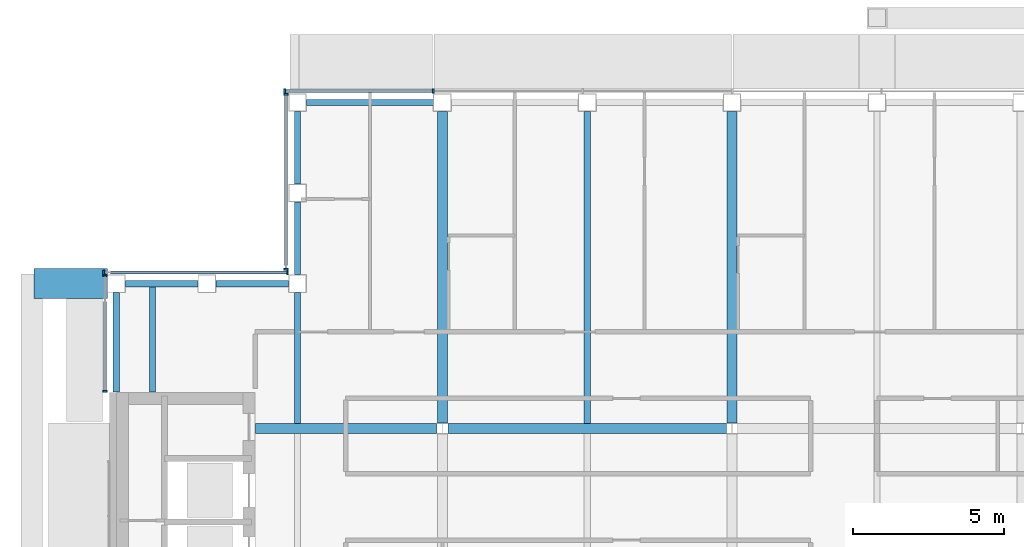
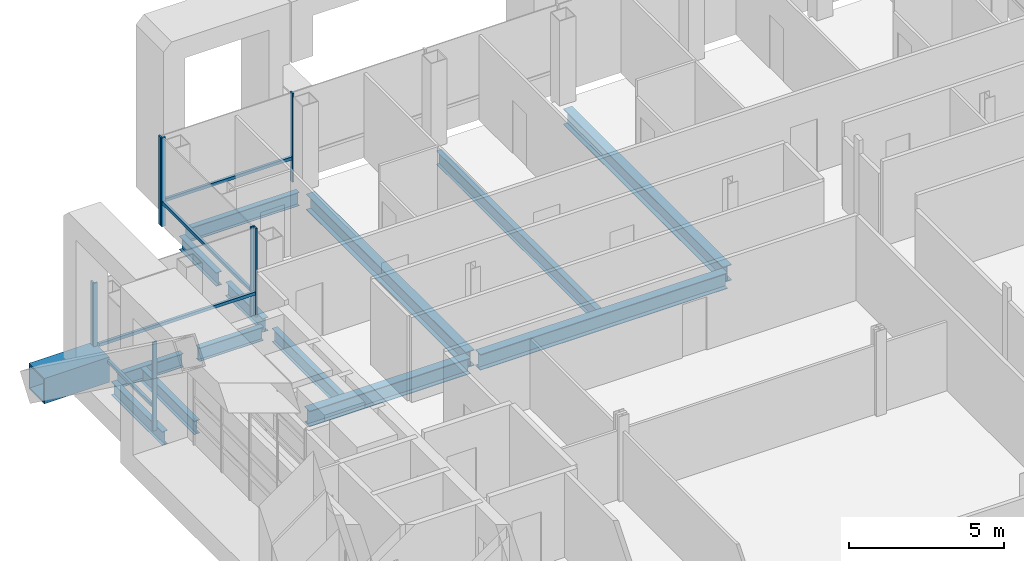
# One storey, part 8 of 23: 14 beams, 12 members, 4 elements without a shape of their own.
"""IFC4 building model written with IfcOpenShell, lengths in metres."""

from ifc_helpers import new_model, si_unit, direction, frame, origin, origin_2d, place, context, subcontext, project, spatial, rectangle, hollow_rectangle, i_section, extrude, material, material_profile, profile_set, type_object, element, aggregate, save


model = new_model("IFC4")

# Units and contexts
model_context = context("Model", 3, precision=1e-05, world=origin(), true_north=direction((0.0, 1.0)))
body_context = subcontext(model_context, "Body", "Model", "MODEL_VIEW")
ifc_project = project(units=[si_unit("LENGTHUNIT", "METRE"), si_unit("AREAUNIT", "SQUARE_METRE"), si_unit("VOLUMEUNIT", "CUBIC_METRE"), si_unit("PLANEANGLEUNIT", "RADIAN"), si_unit("MASSUNIT", "GRAM", prefix="KILO")], contexts=[model_context])

# Site, building, storey
site_placement = place(None, origin())
site = spatial("IfcSite", under=ifc_project, at=site_placement, CompositionType="ELEMENT")
building_placement = place(site_placement, origin())
building = spatial("IfcBuilding", under=site, at=building_placement, Name="Cobrizo Arcos Hotel Tower", CompositionType="ELEMENT")
storey_placement = place(building_placement, frame((0.0, 0.0, 255.0)))
storey = spatial("IfcBuildingStorey", under=building, at=storey_placement, Name="L67", CompositionType="ELEMENT", Elevation=255.0)

# Beam
ifc_material_1 = material(Name="Steel ASTM A572 Grade 50", Category="steel")
ifc_material_profile_1 = material_profile(ifc_material_1, hollow_rectangle(XDim=1.0, YDim=1.0, WallThickness=0.06005859375, at=origin_2d()), Name="BOX 1000X1000X60")
ifc_profile_set_1 = profile_set([ifc_material_profile_1], Name="Steel ASTM A572 Grade 50")
beam_type_1 = type_object("IfcBeamType", Name="BOX 1000X1000X60 brace connector strut", PredefinedType="BEAM", material=ifc_profile_set_1)
beam_1_placement = place(storey_placement, frame((-20.68994140625, 14.39990234375, 0.5), z_axis=(-1.0, 0.0, 0.0), x_axis=(0.0, -1.0, 0.0)))
element("IfcBeam", 1, at=beam_1_placement, inside=storey, type_object=beam_type_1, Name="Perimeter brace stub BS1, zone Z5, west face, offset +14.40 m, L67", PredefinedType="BEAM", context=body_context, shape_type="SweptSolid", body=[
    extrude(hollow_rectangle(XDim=1.0, YDim=1.0, WallThickness=0.06005859375, at=origin_2d()), origin(), (0.0, 0.0, 1.0), 2.43017578125),
])

# Curtain wall, members
ifc_material_2 = material(Name="Aluminium 6063-T6 anodised bronze", Category="aluminium")
curtain_wall_type = type_object("IfcCurtainWallType", Name="CW-A guest facade", PredefinedType="NOTDEFINED", material=ifc_material_2)
curtain_wall_1_placement = place(storey_placement, origin())
curtain_wall_1 = element("IfcCurtainWall", 2, at=curtain_wall_1_placement, inside=storey, type_object=curtain_wall_type, Name="CW-A L67 N face", PredefinedType="NOTDEFINED")
ifc_material_profile_2 = material_profile(ifc_material_2, rectangle(XDim=0.14990234375, YDim=0.06005859375, at=origin_2d()), Name="CW-A mullion 150x60")
ifc_profile_set_2 = profile_set([ifc_material_profile_2], Name="Aluminium 6063-T6 anodised bronze")
member_type_1 = type_object("IfcMemberType", Name="CW-A mullion 150x60", PredefinedType="MULLION", material=ifc_profile_set_2)
member_1_placement = place(storey_placement, frame((-9.89990234375, 20.77490234375, 0.0), z_axis=(0.0, 0.0, 1.0), x_axis=(0.0, 1.0, 0.0)))
member_1 = element("IfcMember", 3, at=member_1_placement, type_object=member_type_1, Name="CW-A mullion 6", PredefinedType="MULLION", context=body_context, shape_type="SweptSolid", body=[
    extrude(rectangle(XDim=0.14990234375, YDim=0.06005859375, at=origin_2d()), origin(), (0.0, 0.0, 1.0), 3.5),
])
member_2_placement = place(storey_placement, frame((-14.820068359375, 20.77490234375, 0.0), z_axis=(0.0, 0.0, 1.0), x_axis=(0.0, 1.0, 0.0)))
member_2 = element("IfcMember", 4, at=member_2_placement, type_object=member_type_1, Name="CW-A mullion 7", PredefinedType="MULLION", context=body_context, shape_type="SweptSolid", body=[
    extrude(rectangle(XDim=0.14990234375, YDim=0.06005859375, at=origin_2d()), origin(), (0.0, 0.0, 1.0), 3.5),
])

curtain_wall_2_placement = place(storey_placement, origin())
curtain_wall_2 = element("IfcCurtainWall", 5, at=curtain_wall_2_placement, inside=storey, type_object=curtain_wall_type, Name="CW-A L67 W face", PredefinedType="NOTDEFINED")
member_3_placement = place(storey_placement, frame((-14.77490234375, 20.669921875, 0.0), z_axis=(0.0, 0.0, 1.0), x_axis=(-1.0, 0.0, 0.0)))
member_3 = element("IfcMember", 6, at=member_3_placement, type_object=member_type_1, Name="CW-A mullion 1", PredefinedType="MULLION", context=body_context, shape_type="SweptSolid", body=[
    extrude(rectangle(XDim=0.14990234375, YDim=0.06005859375, at=origin_2d()), origin(), (0.0, 0.0, 1.0), 3.5),
])
member_4_placement = place(storey_placement, frame((-14.77490234375, 14.8798828125, 0.0), z_axis=(0.0, 0.0, 1.0), x_axis=(-1.0, 0.0, 0.0)))
member_4 = element("IfcMember", 7, at=member_4_placement, type_object=member_type_1, Name="CW-A mullion 2", PredefinedType="MULLION", context=body_context, shape_type="SweptSolid", body=[
    extrude(rectangle(XDim=0.14990234375, YDim=0.06005859375, at=origin_2d()), origin(), (0.0, 0.0, 1.0), 3.5),
])

curtain_wall_3_placement = place(storey_placement, origin())
curtain_wall_3 = element("IfcCurtainWall", 8, at=curtain_wall_3_placement, inside=storey, type_object=curtain_wall_type, Name="CW-A L67 N face", PredefinedType="NOTDEFINED")
member_5_placement = place(storey_placement, frame((-14.72998046875, 14.77490234375, 0.0), z_axis=(0.0, 0.0, 1.0), x_axis=(0.0, 1.0, 0.0)))
member_5 = element("IfcMember", 9, at=member_5_placement, type_object=member_type_1, Name="CW-A mullion 1", PredefinedType="MULLION", context=body_context, shape_type="SweptSolid", body=[
    extrude(rectangle(XDim=0.14990234375, YDim=0.06005859375, at=origin_2d()), origin(), (0.0, 0.0, 1.0), 3.5),
])
member_6_placement = place(storey_placement, frame((-20.820068359375, 14.77490234375, 0.0), z_axis=(0.0, 0.0, 1.0), x_axis=(0.0, 1.0, 0.0)))
member_6 = element("IfcMember", 10, at=member_6_placement, type_object=member_type_1, Name="CW-A mullion 2", PredefinedType="MULLION", context=body_context, shape_type="SweptSolid", body=[
    extrude(rectangle(XDim=0.14990234375, YDim=0.06005859375, at=origin_2d()), origin(), (0.0, 0.0, 1.0), 3.5),
])

curtain_wall_4_placement = place(storey_placement, origin())
curtain_wall_4 = element("IfcCurtainWall", 11, at=curtain_wall_4_placement, inside=storey, type_object=curtain_wall_type, Name="CW-A L67 W face", PredefinedType="NOTDEFINED")
member_7_placement = place(storey_placement, frame((-20.77490234375, 14.669921875, 0.0), z_axis=(0.0, 0.0, 1.0), x_axis=(-1.0, 0.0, 0.0)))
member_7 = element("IfcMember", 12, at=member_7_placement, type_object=member_type_1, Name="CW-A mullion 1", PredefinedType="MULLION", context=body_context, shape_type="SweptSolid", body=[
    extrude(rectangle(XDim=0.14990234375, YDim=0.06005859375, at=origin_2d()), origin(), (0.0, 0.0, 1.0), 3.5),
])
member_8_placement = place(storey_placement, frame((-20.77490234375, 10.830078125, 0.0), z_axis=(0.0, 0.0, 1.0), x_axis=(-1.0, 0.0, 0.0)))
member_8 = element("IfcMember", 13, at=member_8_placement, type_object=member_type_1, Name="CW-A mullion 2", PredefinedType="MULLION", context=body_context, shape_type="SweptSolid", body=[
    extrude(rectangle(XDim=0.14990234375, YDim=0.06005859375, at=origin_2d()), origin(), (0.0, 0.0, 1.0), 3.5),
])

# Member
ifc_material_profile_3 = material_profile(ifc_material_2, rectangle(XDim=0.10009765625, YDim=0.1201171875, at=origin_2d()), Name="CW-A transom 120x100")
ifc_profile_set_3 = profile_set([ifc_material_profile_3], Name="Aluminium 6063-T6 anodised bronze")
member_type_2 = type_object("IfcMemberType", Name="CW-A transom 120x100", PredefinedType="USERDEFINED", material=ifc_profile_set_3)
member_9_placement = place(storey_placement, frame((-9.929931640625, 20.77490234375, 0.929931640625), z_axis=(-1.0, 0.0, 0.0), x_axis=(0.0, -1.0, 0.0)))
member_9 = element("IfcMember", 14, at=member_9_placement, type_object=member_type_2, Name="CW-A transom 2125", ObjectType="TRANSOM", PredefinedType="USERDEFINED", context=body_context, shape_type="SweptSolid", body=[
    extrude(rectangle(XDim=0.10009765625, YDim=0.1201171875, at=origin_2d()), origin(), (0.0, 0.0, 1.0), 4.860107421875),
])

aggregate(curtain_wall_1, [member_1, member_2, member_9])

member_10_placement = place(storey_placement, frame((-14.77490234375, 20.639892578125, 0.929931640625), z_axis=(0.0, -1.0, 0.0), x_axis=(1.0, 0.0, 0.0)))
member_10 = element("IfcMember", 15, at=member_10_placement, type_object=member_type_2, Name="CW-A transom 2126", ObjectType="TRANSOM", PredefinedType="USERDEFINED", context=body_context, shape_type="SweptSolid", body=[
    extrude(rectangle(XDim=0.10009765625, YDim=0.1201171875, at=origin_2d()), origin(), (0.0, 0.0, 1.0), 5.639892578125),
])

aggregate(curtain_wall_2, [member_3, member_4, member_10])

member_11_placement = place(storey_placement, frame((-14.760009765625, 14.77490234375, 0.929931640625), z_axis=(-1.0, 0.0, 0.0), x_axis=(0.0, -1.0, 0.0)))
member_11 = element("IfcMember", 16, at=member_11_placement, type_object=member_type_2, Name="CW-A transom 2127", ObjectType="TRANSOM", PredefinedType="USERDEFINED", context=body_context, shape_type="SweptSolid", body=[
    extrude(rectangle(XDim=0.10009765625, YDim=0.1201171875, at=origin_2d()), origin(), (0.0, 0.0, 1.0), 5.830078125),
])

aggregate(curtain_wall_3, [member_5, member_6, member_11])

member_12_placement = place(storey_placement, frame((-20.77490234375, 13.800048828125, 0.929931640625), z_axis=(0.0, -1.0, 0.0), x_axis=(1.0, 0.0, 0.0)))
member_12 = element("IfcMember", 17, at=member_12_placement, type_object=member_type_2, Name="CW-A transom 2128", ObjectType="TRANSOM", PredefinedType="USERDEFINED", context=body_context, shape_type="SweptSolid", body=[
    extrude(rectangle(XDim=0.10009765625, YDim=0.1201171875, at=origin_2d()), origin(), (0.0, 0.0, 1.0), 2.93994140625),
])

aggregate(curtain_wall_4, [member_7, member_8, member_12])

# Beams
ifc_material_3 = material(Name="Steel ASTM A992 Grade 50", Category="steel")
ifc_material_profile_4 = material_profile(ifc_material_3, i_section(OverallWidth=0.209228515625, OverallDepth=0.533447265625, WebThickness=0.01025390625, FlangeThickness=0.015625, at=origin_2d()), Name="W21X62")
ifc_profile_set_4 = profile_set([ifc_material_profile_4], Name="Steel ASTM A992 Grade 50")
beam_type_2 = type_object("IfcBeamType", Name="W21X62 joist", PredefinedType="JOIST", material=ifc_profile_set_4)
beam_2_placement = place(storey_placement, frame((-19.199951171875, 10.81005859375, -0.416748046875), z_axis=(0.0, 1.0, 0.0), x_axis=(-1.0, 0.0, 0.0)))
element("IfcBeam", 18, at=beam_2_placement, inside=storey, type_object=beam_type_2, Name="Floor joist J1, L67, no. 002", PredefinedType="JOIST", context=body_context, shape_type="SweptSolid", body=[
    extrude(i_section(OverallWidth=0.209228515625, OverallDepth=0.533447265625, WebThickness=0.01025390625, FlangeThickness=0.015625, at=origin_2d()), origin(), (0.0, 0.0, 1.0), 3.5),
])
beam_3_placement = place(storey_placement, frame((-14.39990234375, 9.763916015625, -0.416748046875), z_axis=(0.0, 1.0, 0.0), x_axis=(-1.0, 0.0, 0.0)))
element("IfcBeam", 19, at=beam_3_placement, inside=storey, type_object=beam_type_2, Name="Floor joist J1, L67, no. 006", PredefinedType="JOIST", context=body_context, shape_type="SweptSolid", body=[
    extrude(i_section(OverallWidth=0.209228515625, OverallDepth=0.533447265625, WebThickness=0.01025390625, FlangeThickness=0.015625, at=origin_2d()), origin(), (0.0, 0.0, 1.0), 4.336181640625),
])
beam_4_placement = place(storey_placement, frame((-4.800048828125, 9.763916015625, -0.416748046875), z_axis=(0.0, 1.0, 0.0), x_axis=(-1.0, 0.0, 0.0)))
element("IfcBeam", 20, at=beam_4_placement, inside=storey, type_object=beam_type_2, Name="Floor joist J1, L67, no. 010", PredefinedType="JOIST", context=body_context, shape_type="SweptSolid", body=[
    extrude(i_section(OverallWidth=0.209228515625, OverallDepth=0.533447265625, WebThickness=0.01025390625, FlangeThickness=0.015625, at=origin_2d()), origin(), (0.0, 0.0, 1.0), 10.336181640625),
])
ifc_material_profile_5 = material_profile(ifc_material_3, i_section(OverallWidth=0.209228515625, OverallDepth=0.533447265625, WebThickness=0.01025390625, FlangeThickness=0.015625, at=origin_2d()), Name="W21X62")
ifc_profile_set_5 = profile_set([ifc_material_profile_5], Name="Steel ASTM A992 Grade 50")
beam_type_3 = type_object("IfcBeamType", Name="W21X62 spandrel", PredefinedType="SPANDREL", material=ifc_profile_set_5)
beam_5_placement = place(storey_placement, frame((-9.89990234375, 20.39990234375, -0.416748046875), z_axis=(-1.0, 0.0, 0.0), x_axis=(0.0, -1.0, 0.0)))
element("IfcBeam", 21, at=beam_5_placement, inside=storey, type_object=beam_type_3, Name="Spandrel beam W21X62, L67, no. 022", PredefinedType="SPANDREL", context=body_context, shape_type="SweptSolid", body=[
    extrude(i_section(OverallWidth=0.209228515625, OverallDepth=0.533447265625, WebThickness=0.01025390625, FlangeThickness=0.015625, at=origin_2d()), origin(), (0.0, 0.0, 1.0), 4.2001953125),
])
for number, where, z_axis, x_axis, name in (
    (22, (-14.39990234375, 20.10009765625, -0.416748046875), (0.0, -1.0, 0.0), (1.0, 0.0, 0.0), "Spandrel beam W21X62, L67, no. 023"),
    (23, (-14.39990234375, 17.10009765625, -0.416748046875), (0.0, -1.0, 0.0), (1.0, 0.0, 0.0), "Spandrel beam W21X62, L67, no. 024"),
    (24, (-14.699951171875, 14.39990234375, -0.416748046875), (-1.0, 0.0, 0.0), (0.0, -1.0, 0.0), "Spandrel beam W21X62, L67, no. 025"),
    (25, (-17.699951171875, 14.39990234375, -0.416748046875), (-1.0, 0.0, 0.0), (0.0, -1.0, 0.0), "Spandrel beam W21X62, L67, no. 026"),
):
    element("IfcBeam", number, at=place(storey_placement, frame(where, z_axis=z_axis, x_axis=x_axis)), inside=storey, type_object=beam_type_3, Name=name, PredefinedType="SPANDREL", context=body_context, shape_type="SweptSolid", body=[
        extrude(i_section(OverallWidth=0.209228515625, OverallDepth=0.533447265625, WebThickness=0.01025390625, FlangeThickness=0.015625, at=origin_2d()), origin(), (0.0, 0.0, 1.0), 2.400146484375),
    ])
beam_6_placement = place(storey_placement, frame((-20.39990234375, 14.10009765625, -0.416748046875), z_axis=(0.0, -1.0, 0.0), x_axis=(1.0, 0.0, 0.0)))
element("IfcBeam", 26, at=beam_6_placement, inside=storey, type_object=beam_type_3, Name="Spandrel beam W21X62, L67, no. 027", PredefinedType="SPANDREL", context=body_context, shape_type="SweptSolid", body=[
    extrude(i_section(OverallWidth=0.209228515625, OverallDepth=0.533447265625, WebThickness=0.01025390625, FlangeThickness=0.015625, at=origin_2d()), origin(), (0.0, 0.0, 1.0), 3.2900390625),
])
ifc_material_profile_6 = material_profile(ifc_material_3, i_section(OverallWidth=0.32763671875, OverallDepth=0.622314453125, WebThickness=0.015380859375, FlangeThickness=0.0244140625, at=origin_2d()), Name="W24X131")
ifc_profile_set_6 = profile_set([ifc_material_profile_6], Name="Steel ASTM A992 Grade 50")
beam_type_4 = type_object("IfcBeamType", Name="W24X131 girder", PredefinedType="BEAM", material=ifc_profile_set_6)
beam_7_placement = place(storey_placement, frame((-15.7900390625, 9.60009765625, -0.461181640625), z_axis=(1.0, 0.0, 0.0), x_axis=(0.0, 1.0, 0.0)))
element("IfcBeam", 27, at=beam_7_placement, inside=storey, type_object=beam_type_4, Name="Floor girder G1, L67, no. 009", PredefinedType="BEAM", context=body_context, shape_type="SweptSolid", body=[
    extrude(i_section(OverallWidth=0.32763671875, OverallDepth=0.622314453125, WebThickness=0.015380859375, FlangeThickness=0.0244140625, at=origin_2d()), origin(), (0.0, 0.0, 1.0), 6.005859375),
])
beam_8_placement = place(storey_placement, frame((-9.415771484375, 9.60009765625, -0.461181640625), z_axis=(1.0, 0.0, 0.0), x_axis=(0.0, 1.0, 0.0)))
element("IfcBeam", 28, at=beam_8_placement, inside=storey, type_object=beam_type_4, Name="Floor girder G1, L67, no. 010", PredefinedType="BEAM", context=body_context, shape_type="SweptSolid", body=[
    extrude(i_section(OverallWidth=0.32763671875, OverallDepth=0.622314453125, WebThickness=0.015380859375, FlangeThickness=0.0244140625, at=origin_2d()), origin(), (0.0, 0.0, 1.0), 9.231689453125),
])
for number, where, z_axis, x_axis, name in (
    (29, (-9.60009765625, 9.7841796875, -0.461181640625), (0.0, 1.0, 0.0), (-1.0, 0.0, 0.0), "Floor girder G1, L67, no. 016"),
    (30, (0.0, 9.7841796875, -0.461181640625), (0.0, 1.0, 0.0), (-1.0, 0.0, 0.0), "Floor girder G1, L67, no. 020"),
):
    element("IfcBeam", number, at=place(storey_placement, frame(where, z_axis=z_axis, x_axis=x_axis)), inside=storey, type_object=beam_type_4, Name=name, PredefinedType="BEAM", context=body_context, shape_type="SweptSolid", body=[
        extrude(i_section(OverallWidth=0.32763671875, OverallDepth=0.622314453125, WebThickness=0.015380859375, FlangeThickness=0.0244140625, at=origin_2d()), origin(), (0.0, 0.0, 1.0), 10.31591796875),
    ])

save(model, "model.ifc")
